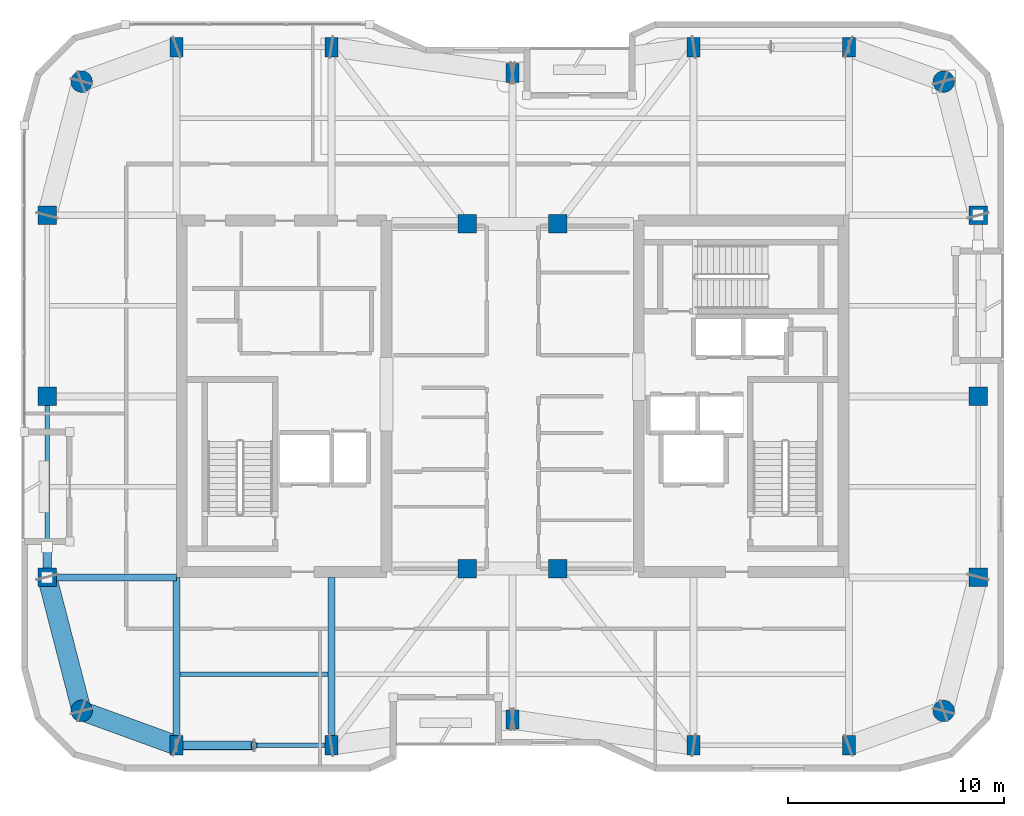
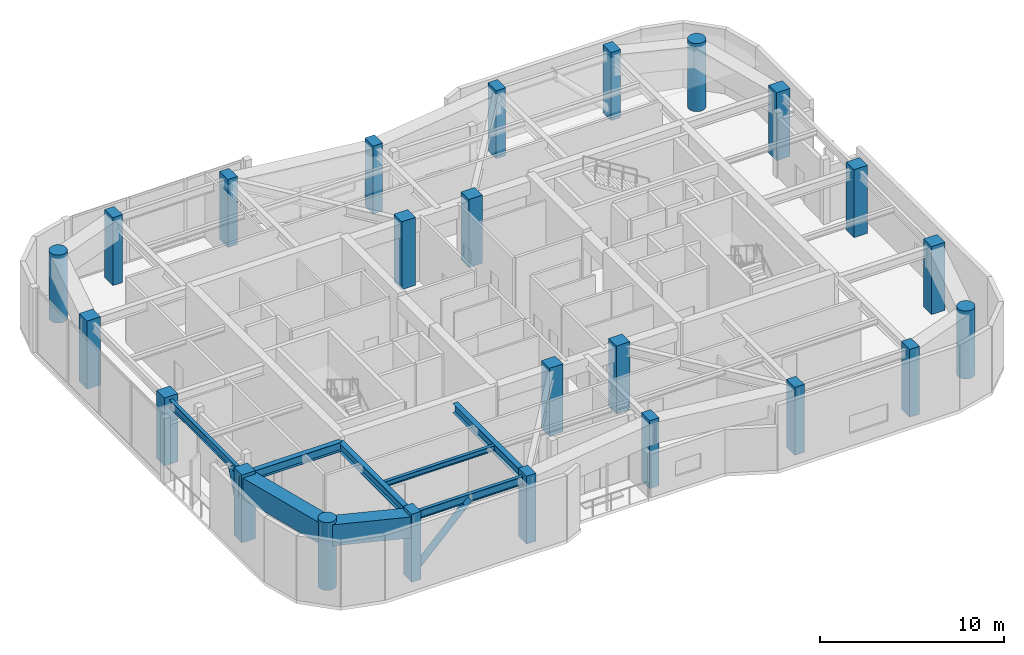
# One storey, part 1 of 16: 24 columns, 8 beams, 2 members.
"""IFC4 building model written with IfcOpenShell, lengths in metres."""

from ifc_helpers import new_model, si_unit, direction, frame, origin, origin_2d, place, context, subcontext, project, spatial, rectangle, hollow_rectangle, circle, hollow_circle, i_section, extrude, material, material_profile, profile_set, type_object, element, save


model = new_model("IFC4")

# Units and contexts
model_context = context("Model", 3, precision=1e-05, world=origin(), true_north=direction((0.0, 1.0)))
body_context = subcontext(model_context, "Body", "Model", "MODEL_VIEW")
ifc_project = project(units=[si_unit("LENGTHUNIT", "METRE"), si_unit("AREAUNIT", "SQUARE_METRE"), si_unit("VOLUMEUNIT", "CUBIC_METRE"), si_unit("PLANEANGLEUNIT", "RADIAN"), si_unit("MASSUNIT", "GRAM", prefix="KILO")], contexts=[model_context])

# Site, building, storey
site_placement = place(None, origin())
site = spatial("IfcSite", under=ifc_project, at=site_placement, CompositionType="ELEMENT")
building_placement = place(site_placement, origin())
building = spatial("IfcBuilding", under=site, at=building_placement, Name="Kiyonajd Concourse Tower", CompositionType="ELEMENT")
storey_placement = place(building_placement, frame((0.0, 0.0, 337.5)))
storey = spatial("IfcBuildingStorey", under=building, at=storey_placement, Name="L85", CompositionType="ELEMENT", Elevation=337.5)

# Columns
ifc_material_1 = material(Name="Concrete C60/75", Category="concrete")
ifc_material_profile_1 = material_profile(ifc_material_1, rectangle(XDim=0.60009765625, YDim=0.89990234375, at=origin_2d()), Name="RC-900x600")
ifc_profile_set_1 = profile_set([ifc_material_profile_1], Name="Concrete C60/75")
column_type_1 = type_object("IfcColumnType", Name="CL-BLADE-900", PredefinedType="COLUMN", material=ifc_profile_set_1)
for number, where, z_axis, x_axis, name in (
    (1, (32.39990234375, 19.800048828125, 0.0), (0.0, 0.0, 1.0), (1.0, 0.0, 0.0), "L85 Perimeter Bundled Tube Column"),
    (2, (32.39990234375, 52.199951171875, 0.0), (0.0, 0.0, 1.0), (1.0, 0.0, 0.0), "L85 Perimeter Bundled Tube Column"),
    (3, (39.60009765625, 19.800048828125, 0.0), (0.0, 0.0, 1.0), (1.0, 0.0, 0.0), "L85 Perimeter Bundled Tube Column"),
    (4, (39.60009765625, 52.199951171875, 0.0), (0.0, 0.0, 1.0), (1.0, 0.0, 0.0), "L85 Perimeter Bundled Tube Column"),
    (5, (48.0, 21.0, 0.0), (0.0, 0.0, 1.0), (1.0, 0.0, 0.0), "L85 Perimeter Bundled Tube Column"),
    (6, (48.0, 51.0, 0.0), (0.0, 0.0, 1.0), (1.0, 0.0, 0.0), "L85 Perimeter Bundled Tube Column"),
    (7, (56.39990234375, 19.800048828125, 0.0), (0.0, 0.0, 1.0), (1.0, 0.0, 0.0), "L85 Perimeter Bundled Tube Column"),
    (8, (56.39990234375, 52.199951171875, 0.0), (0.0, 0.0, 1.0), (1.0, 0.0, 0.0), "L85 Perimeter Bundled Tube Column"),
    (9, (63.60009765625, 19.800048828125, 0.0), (0.0, 0.0, 1.0), (1.0, 0.0, 0.0), "L85 Perimeter Bundled Tube Column"),
    (10, (63.60009765625, 52.199951171875, 0.0), (0.0, 0.0, 1.0), (1.0, 0.0, 0.0), "L85 Perimeter Bundled Tube Column"),
):
    element("IfcColumn", number, at=place(storey_placement, frame(where, z_axis=z_axis, x_axis=x_axis)), inside=storey, type_object=column_type_1, Name=name, PredefinedType="COLUMN", context=body_context, shape_type="SweptSolid", body=[
        extrude(rectangle(XDim=0.60009765625, YDim=0.89990234375, at=origin_2d()), origin(), (0.0, 0.0, 1.0), 4.5),
    ])
ifc_material_profile_2 = material_profile(ifc_material_1, circle(Radius=0.5, at=origin_2d()), Name="RCC-D1000")
ifc_profile_set_2 = profile_set([ifc_material_profile_2], Name="Concrete C60/75")
column_type_2 = type_object("IfcColumnType", Name="CL-RND-1000", PredefinedType="COLUMN", material=ifc_profile_set_2)
for number, where, z_axis, x_axis, name in (
    (11, (28.0, 21.39990234375, 0.0), (0.0, 0.0, 1.0), (1.0, 0.0, 0.0), "L85 Bundled Tube Corner Column South West"),
    (12, (68.0, 21.39990234375, 0.0), (0.0, 0.0, 1.0), (1.0, 0.0, 0.0), "L85 Bundled Tube Corner Column South East"),
    (13, (68.0, 50.60009765625, 0.0), (0.0, 0.0, 1.0), (1.0, 0.0, 0.0), "L85 Bundled Tube Corner Column North East"),
    (14, (28.0, 50.60009765625, 0.0), (0.0, 0.0, 1.0), (1.0, 0.0, 0.0), "L85 Bundled Tube Corner Column North West"),
):
    element("IfcColumn", number, at=place(storey_placement, frame(where, z_axis=z_axis, x_axis=x_axis)), inside=storey, type_object=column_type_2, Name=name, PredefinedType="COLUMN", context=body_context, shape_type="SweptSolid", body=[
        extrude(circle(Radius=0.5, at=origin_2d()), origin(), (0.0, 0.0, 1.0), 4.5),
    ])
ifc_material_profile_3 = material_profile(ifc_material_1, rectangle(XDim=0.85009765625, YDim=0.85009765625, at=origin_2d()), Name="RC-850x850")
ifc_profile_set_3 = profile_set([ifc_material_profile_3], Name="Concrete C60/75")
column_type_3 = type_object("IfcColumnType", Name="CL-TUBE-850", PredefinedType="COLUMN", material=ifc_profile_set_3)
for number, where, z_axis, x_axis, name in (
    (15, (26.39990234375, 27.60009765625, 0.0), (0.0, 0.0, 1.0), (1.0, 0.0, 0.0), "L85 Perimeter Bundled Tube Column"),
    (16, (69.60009765625, 27.60009765625, 0.0), (0.0, 0.0, 1.0), (1.0, 0.0, 0.0), "L85 Perimeter Bundled Tube Column"),
    (17, (26.39990234375, 36.0, 0.0), (0.0, 0.0, 1.0), (1.0, 0.0, 0.0), "L85 Perimeter Bundled Tube Column"),
    (18, (69.60009765625, 36.0, 0.0), (0.0, 0.0, 1.0), (1.0, 0.0, 0.0), "L85 Perimeter Bundled Tube Column"),
    (19, (26.39990234375, 44.39990234375, 0.0), (0.0, 0.0, 1.0), (1.0, 0.0, 0.0), "L85 Perimeter Bundled Tube Column"),
    (20, (69.60009765625, 44.39990234375, 0.0), (0.0, 0.0, 1.0), (1.0, 0.0, 0.0), "L85 Perimeter Bundled Tube Column"),
    (21, (45.89990234375, 28.0, 0.0), (0.0, 0.0, 1.0), (1.0, 0.0, 0.0), "L85 Core Tie Column South West"),
    (22, (50.10009765625, 28.0, 0.0), (0.0, 0.0, 1.0), (1.0, 0.0, 0.0), "L85 Core Tie Column South East"),
    (23, (45.89990234375, 44.0, 0.0), (0.0, 0.0, 1.0), (1.0, 0.0, 0.0), "L85 Core Tie Column North West"),
    (24, (50.10009765625, 44.0, 0.0), (0.0, 0.0, 1.0), (1.0, 0.0, 0.0), "L85 Core Tie Column North East"),
):
    element("IfcColumn", number, at=place(storey_placement, frame(where, z_axis=z_axis, x_axis=x_axis)), inside=storey, type_object=column_type_3, Name=name, PredefinedType="COLUMN", context=body_context, shape_type="SweptSolid", body=[
        extrude(rectangle(XDim=0.85009765625, YDim=0.85009765625, at=origin_2d()), origin(), (0.0, 0.0, 1.0), 4.5),
    ])

# Beams
ifc_material_2 = material(Name="Steel ASTM A992 Grade 50", Category="steel")
ifc_material_profile_4 = material_profile(ifc_material_2, i_section(OverallWidth=0.205078125, OverallDepth=0.35400390625, WebThickness=0.009521484375, FlangeThickness=0.016845703125, at=origin_2d()), Name="W360X79")
ifc_profile_set_4 = profile_set([ifc_material_profile_4], Name="Steel ASTM A992 Grade 50")
beam_type_1 = type_object("IfcBeamType", Name="BM-JST-360", PredefinedType="JOIST", material=ifc_profile_set_4)
beam_1_placement = place(storey_placement, frame((32.56201171875, 23.10009765625, 4.10302734375), z_axis=(1.0, 0.0, 0.0), x_axis=(0.0, 1.0, 0.0)))
element("IfcBeam", 25, at=beam_1_placement, inside=storey, type_object=beam_type_1, Name="L85 Secondary Floor Joist", PredefinedType="JOIST", context=body_context, shape_type="SweptSolid", body=[
    extrude(i_section(OverallWidth=0.205078125, OverallDepth=0.35400390625, WebThickness=0.009521484375, FlangeThickness=0.016845703125, at=origin_2d()), origin(), (0.0, 0.0, 1.0), 6.8759765625),
])
ifc_material_profile_5 = material_profile(ifc_material_2, i_section(OverallWidth=0.2109375, OverallDepth=0.5390625, WebThickness=0.01171875, FlangeThickness=0.018798828125, at=origin_2d()), Name="W530X109")
ifc_profile_set_5 = profile_set([ifc_material_profile_5], Name="Steel ASTM A992 Grade 50")
beam_type_2 = type_object("IfcBeamType", Name="BM-SPAN-530B", PredefinedType="SPANDREL", material=ifc_profile_set_5)
beam_2_placement = place(storey_placement, frame((32.39990234375, 19.800048828125, 4.010498046875), z_axis=(1.0, 0.0, 0.0), x_axis=(0.0, 1.0, 0.0)))
element("IfcBeam", 26, at=beam_2_placement, inside=storey, type_object=beam_type_2, Name="L85 Perimeter Bundled Tube Spandrel", PredefinedType="SPANDREL", context=body_context, shape_type="SweptSolid", body=[
    extrude(i_section(OverallWidth=0.2109375, OverallDepth=0.5390625, WebThickness=0.01171875, FlangeThickness=0.018798828125, at=origin_2d()), origin(), (0.0, 0.0, 1.0), 7.2001953125),
])
beam_3_placement = place(storey_placement, frame((26.39990234375, 36.0, 4.010498046875), z_axis=(0.0, -1.0, 0.0), x_axis=(1.0, 0.0, 0.0)))
element("IfcBeam", 27, at=beam_3_placement, inside=storey, type_object=beam_type_2, Name="L85 Perimeter Bundled Tube Spandrel", PredefinedType="SPANDREL", context=body_context, shape_type="SweptSolid", body=[
    extrude(i_section(OverallWidth=0.2109375, OverallDepth=0.5390625, WebThickness=0.01171875, FlangeThickness=0.018798828125, at=origin_2d()), origin(), (0.0, 0.0, 1.0), 8.39990234375),
])
ifc_material_profile_6 = material_profile(ifc_material_2, i_section(OverallWidth=0.323974609375, OverallDepth=0.611083984375, WebThickness=0.0126953125, FlangeThickness=0.01904296875, at=origin_2d()), Name="W610X155")
ifc_profile_set_6 = profile_set([ifc_material_profile_6], Name="Steel ASTM A992 Grade 50")
beam_type_3 = type_object("IfcBeamType", Name="BM-TWR-610B", PredefinedType="BEAM", material=ifc_profile_set_6)
for number, where, z_axis, x_axis, name in (
    (28, (32.39990234375, 19.800048828125, 3.974609375), (0.0, 1.0, 0.0), (-1.0, 0.0, 0.0), "L85 South Lease Girder"),
    (29, (39.60009765625, 19.800048828125, 3.974609375), (0.0, 1.0, 0.0), (-1.0, 0.0, 0.0), "L85 South Lease Girder"),
):
    element("IfcBeam", number, at=place(storey_placement, frame(where, z_axis=z_axis, x_axis=x_axis)), inside=storey, type_object=beam_type_3, Name=name, PredefinedType="BEAM", context=body_context, shape_type="SweptSolid", body=[
        extrude(i_section(OverallWidth=0.323974609375, OverallDepth=0.611083984375, WebThickness=0.0126953125, FlangeThickness=0.01904296875, at=origin_2d()), origin(), (0.0, 0.0, 1.0), 7.800048828125),
    ])
beam_4_placement = place(storey_placement, frame((26.39990234375, 27.60009765625, 3.974609375), z_axis=(1.0, 0.0, 0.0), x_axis=(0.0, 1.0, 0.0)))
element("IfcBeam", 30, at=beam_4_placement, inside=storey, type_object=beam_type_3, Name="L85 West Lease Girder", PredefinedType="BEAM", context=body_context, shape_type="SweptSolid", body=[
    extrude(i_section(OverallWidth=0.323974609375, OverallDepth=0.611083984375, WebThickness=0.0126953125, FlangeThickness=0.01904296875, at=origin_2d()), origin(), (0.0, 0.0, 1.0), 6.0),
])
ifc_material_3 = material(Name="Steel ASTM A572 Grade 50", Category="steel")
ifc_material_profile_7 = material_profile(ifc_material_3, hollow_rectangle(XDim=0.89990234375, YDim=1.39990234375, WallThickness=0.070068359375, at=origin_2d()), Name="BOX-1400x900x70")
ifc_profile_set_7 = profile_set([ifc_material_profile_7], Name="Steel ASTM A572 Grade 50")
beam_type_4 = type_object("IfcBeamType", Name="BM-XFER-1400", PredefinedType="BEAM", material=ifc_profile_set_7)
beam_5_placement = place(storey_placement, frame((26.39990234375, 27.60009765625, 3.580078125), z_axis=(0.249884937687, -0.968275538221, 0.0), x_axis=(0.968275538221, 0.249884937687, 0.0)))
element("IfcBeam", 31, at=beam_5_placement, inside=storey, type_object=beam_type_4, Name="L85 Perimeter Bundled Tube Spandrel", PredefinedType="BEAM", context=body_context, shape_type="SweptSolid", body=[
    extrude(hollow_rectangle(XDim=0.89990234375, YDim=1.39990234375, WallThickness=0.070068359375, at=origin_2d()), origin(), (0.0, 0.0, 1.0), 6.4033203125),
])
beam_6_placement = place(storey_placement, frame((28.0, 21.39990234375, 3.580078125), z_axis=(0.939801036019, -0.341722127901, 0.0), x_axis=(0.341722127901, 0.939801036019, 0.0)))
element("IfcBeam", 32, at=beam_6_placement, inside=storey, type_object=beam_type_4, Name="L85 Perimeter Bundled Tube Spandrel", PredefinedType="BEAM", context=body_context, shape_type="SweptSolid", body=[
    extrude(hollow_rectangle(XDim=0.89990234375, YDim=1.39990234375, WallThickness=0.070068359375, at=origin_2d()), origin(), (0.0, 0.0, 1.0), 4.681640625),
])

# Members
ifc_material_4 = material(Name="Steel ASTM A500 Grade C", Category="steel")
ifc_material_profile_8 = material_profile(ifc_material_4, hollow_circle(Radius=0.202880859375, WallThickness=0.01904296875, at=origin_2d()), Name="CHS-406x19")
ifc_profile_set_8 = profile_set([ifc_material_profile_8], Name="Steel ASTM A500 Grade C")
member_type = type_object("IfcMemberType", Name="MB-PB-HIGH", PredefinedType="BRACE", material=ifc_profile_set_8)
member_1_placement = place(storey_placement, frame((32.39990234375, 19.800048828125, 0.300048828125), z_axis=(0.704187756773, 0.0, 0.710013804944), x_axis=(0.0, 1.0, 0.0)))
element("IfcMember", 33, at=member_1_placement, inside=storey, type_object=member_type, Name="L85 Upper Zone Hollow Tube Brace PBS", PredefinedType="BRACE", context=body_context, shape_type="SweptSolid", body=[
    extrude(hollow_circle(Radius=0.202880859375, WallThickness=0.01904296875, at=origin_2d()), origin(), (0.0, 0.0, 1.0), 5.1123046875),
])
member_2_placement = place(storey_placement, frame((26.39990234375, 27.60009765625, 0.300048828125), z_axis=(0.0, 0.359828366716, 0.933018513486), x_axis=(-1.0, 0.0, 0.0)))
element("IfcMember", 34, at=member_2_placement, inside=storey, type_object=member_type, Name="L85 Upper Zone Hollow Tube Brace PBW", PredefinedType="BRACE", context=body_context, shape_type="SweptSolid", body=[
    extrude(hollow_circle(Radius=0.202880859375, WallThickness=0.01904296875, at=origin_2d()), origin(), (0.0, 0.0, 1.0), 3.890380859375),
])

save(model, "model.ifc")
